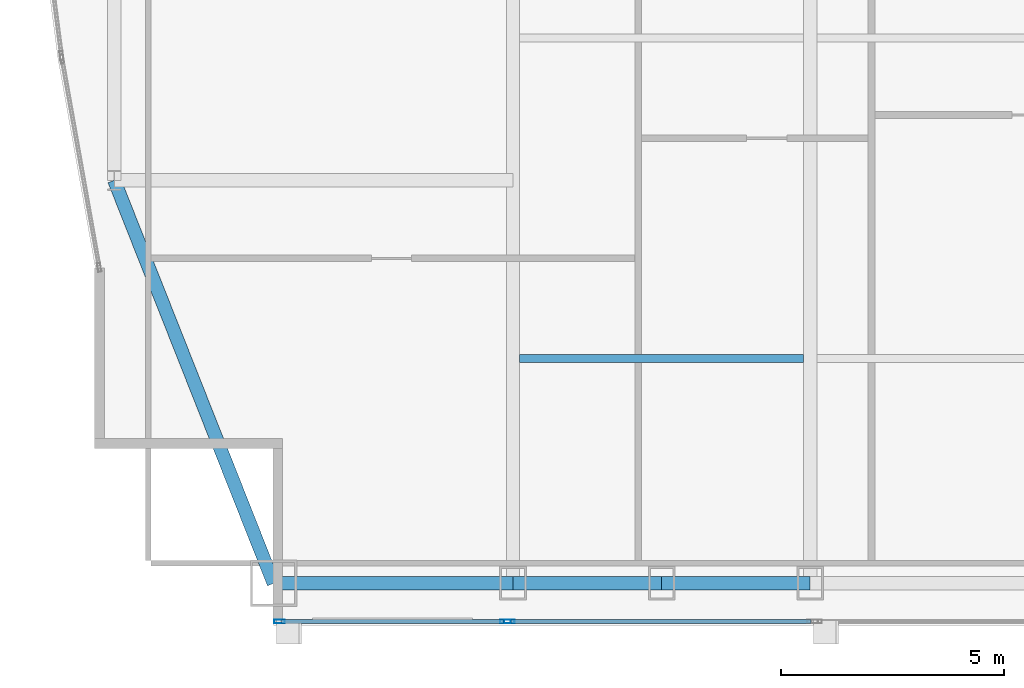
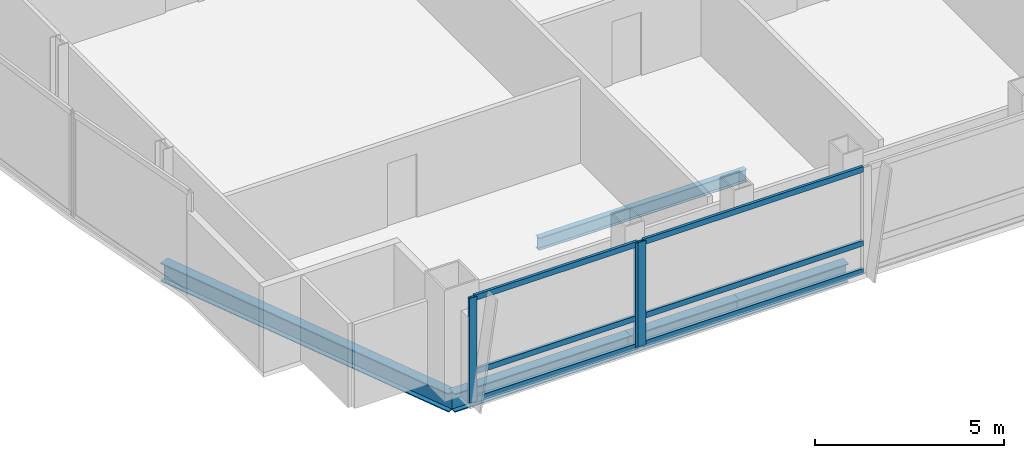
# One storey, part 5 of 30: 9 members, 5 beams, 2 elements without a shape of their own.
"""IFC4 building model written with IfcOpenShell, lengths in metres."""

from ifc_helpers import new_model, si_unit, direction, frame, origin, origin_2d, place, context, subcontext, project, spatial, hollow_rectangle, i_section, extrude, material, material_profile, profile_set, type_object, element, aggregate, save


model = new_model("IFC4")

# Units and contexts
model_context = context("Model", 3, precision=1e-05, world=origin(), true_north=direction((0.0, 1.0)))
body_context = subcontext(model_context, "Body", "Model", "MODEL_VIEW")
ifc_project = project(units=[si_unit("LENGTHUNIT", "METRE"), si_unit("AREAUNIT", "SQUARE_METRE"), si_unit("VOLUMEUNIT", "CUBIC_METRE"), si_unit("PLANEANGLEUNIT", "RADIAN"), si_unit("MASSUNIT", "GRAM", prefix="KILO")], contexts=[model_context])

# Site, building, storey
site_placement = place(None, origin())
site = spatial("IfcSite", under=ifc_project, at=site_placement, CompositionType="ELEMENT")
building_placement = place(site_placement, origin())
building = spatial("IfcBuilding", under=site, at=building_placement, Name="Khoronbel Lancet Exchange", CompositionType="ELEMENT")
storey_placement = place(building_placement, frame((0.0, 0.0, 253.39990234375)))
storey = spatial("IfcBuildingStorey", under=building, at=storey_placement, Name="L65", CompositionType="ELEMENT", Elevation=253.39990234375)

# Beams
ifc_material_1 = material(Name="Steel S355", Category="steel")
ifc_material_profile_1 = material_profile(ifc_material_1, i_section(OverallWidth=0.179931640625, OverallDepth=0.39990234375, WebThickness=0.008544921875, FlangeThickness=0.013427734375, at=origin_2d()), Name="IPE 400")
ifc_profile_set_1 = profile_set([ifc_material_profile_1], Name="Steel S355")
beam_type_1 = type_object("IfcBeamType", Name="BM-BJ5", PredefinedType="JOIST", material=ifc_profile_set_1)
beam_1_placement = place(storey_placement, frame((18.375, 15.199951171875, -0.35986328125), z_axis=(1.0, 0.0, 0.0), x_axis=(0.0, 1.0, 0.0)))
element("IfcBeam", 1, at=beam_1_placement, inside=storey, type_object=beam_type_1, Name="Level L65 secondary composite joist J01", PredefinedType="JOIST", context=body_context, shape_type="SweptSolid", body=[
    extrude(i_section(OverallWidth=0.179931640625, OverallDepth=0.39990234375, WebThickness=0.008544921875, FlangeThickness=0.013427734375, at=origin_2d()), origin(), (0.0, 0.0, 1.0), 6.375),
])
ifc_material_profile_2 = material_profile(ifc_material_1, i_section(OverallWidth=0.300048828125, OverallDepth=0.60009765625, WebThickness=0.015380859375, FlangeThickness=0.030029296875, at=origin_2d()), Name="HEB 600")
ifc_profile_set_2 = profile_set([ifc_material_profile_2], Name="Steel S355")
beam_type_2 = type_object("IfcBeamType", Name="BM-BSP2", PredefinedType="SPANDREL", material=ifc_profile_set_2)
beam_2_placement = place(storey_placement, frame((12.85009765625, 10.14990234375, -0.4599609375), z_axis=(1.0, 0.0, 0.0), x_axis=(0.0, 1.0, 0.0)))
element("IfcBeam", 2, at=beam_2_placement, inside=storey, type_object=beam_type_2, Name="Level L65 perimeter spandrel beam SP01", PredefinedType="SPANDREL", context=body_context, shape_type="SweptSolid", body=[
    extrude(i_section(OverallWidth=0.300048828125, OverallDepth=0.60009765625, WebThickness=0.015380859375, FlangeThickness=0.030029296875, at=origin_2d()), origin(), (0.0, 0.0, 1.0), 5.375),
])
for number, where, z_axis, x_axis, name in (
    (3, (18.22509765625, 10.14990234375, -0.4599609375), (1.0, 0.0, 0.0), (0.0, 1.0, 0.0), "Level L65 perimeter spandrel beam SP02"),
    (4, (21.5625, 10.14990234375, -0.4599609375), (1.0, 0.0, 0.0), (0.0, 1.0, 0.0), "Level L65 perimeter spandrel beam SP03"),
):
    element("IfcBeam", number, at=place(storey_placement, frame(where, z_axis=z_axis, x_axis=x_axis)), inside=storey, type_object=beam_type_2, Name=name, PredefinedType="SPANDREL", context=body_context, shape_type="SweptSolid", body=[
        extrude(i_section(OverallWidth=0.300048828125, OverallDepth=0.60009765625, WebThickness=0.015380859375, FlangeThickness=0.030029296875, at=origin_2d()), origin(), (0.0, 0.0, 1.0), 3.33740234375),
    ])
beam_3_placement = place(storey_placement, frame((9.27001953125, 19.199951171875, -0.4599609375), z_axis=(0.367850095026, -0.92988510451, 0.0), x_axis=(0.92988510451, 0.367850095026, 0.0)))
element("IfcBeam", 5, at=beam_3_placement, inside=storey, type_object=beam_type_2, Name="Level L65 perimeter spandrel beam SP21", PredefinedType="SPANDREL", context=body_context, shape_type="SweptSolid", body=[
    extrude(i_section(OverallWidth=0.300048828125, OverallDepth=0.60009765625, WebThickness=0.015380859375, FlangeThickness=0.030029296875, at=origin_2d()), origin(), (0.0, 0.0, 1.0), 9.732421875),
])

# Curtain wall, members
ifc_material_2 = material(Name="Low-E Solar Control Insulating Glass", Category="glass")
curtain_wall_type = type_object("IfcCurtainWallType", Name="CW-3", PredefinedType="NOTDEFINED", material=ifc_material_2)
curtain_wall_1_placement = place(storey_placement, origin())
curtain_wall_1 = element("IfcCurtainWall", 6, at=curtain_wall_1_placement, inside=storey, type_object=curtain_wall_type, Name="Unitised curtain wall CW-L65-SWV", PredefinedType="NOTDEFINED")
ifc_material_3 = material(Name="Bronze-Anodised Aluminium 6063-T6", Category="aluminium")
ifc_material_profile_3 = material_profile(ifc_material_3, hollow_rectangle(XDim=0.0849609375, YDim=0.239990234375, WallThickness=0.006103515625, at=origin_2d()), Name="ALU MULLION 85x240")
ifc_profile_set_3 = profile_set([ifc_material_profile_3], Name="Bronze-Anodised Aluminium 6063-T6")
member_type_1 = type_object("IfcMemberType", Name="MEM-CWM1", PredefinedType="MULLION", material=ifc_profile_set_3)
member_1_placement = place(storey_placement, frame((12.982421875, 9.2900390625, 0.0), z_axis=(0.0, 0.0, 1.0), x_axis=(0.0, 1.0, 0.0)))
member_1 = element("IfcMember", 7, at=member_1_placement, type_object=member_type_1, Name="CW3 mullion 1", PredefinedType="MULLION", context=body_context, shape_type="SweptSolid", body=[
    extrude(hollow_rectangle(XDim=0.0849609375, YDim=0.239990234375, WallThickness=0.006103515625, at=origin_2d()), origin(), (0.0, 0.0, 1.0), 3.380126953125),
])
member_2_placement = place(storey_placement, frame((18.0576171875, 9.2900390625, 0.0), z_axis=(0.0, 0.0, 1.0), x_axis=(0.0, 1.0, 0.0)))
member_2 = element("IfcMember", 8, at=member_2_placement, type_object=member_type_1, Name="CW3 mullion 2", PredefinedType="MULLION", context=body_context, shape_type="SweptSolid", body=[
    extrude(hollow_rectangle(XDim=0.0849609375, YDim=0.239990234375, WallThickness=0.006103515625, at=origin_2d()), origin(), (0.0, 0.0, 1.0), 3.380126953125),
])

# Curtain wall, member
curtain_wall_2_placement = place(storey_placement, origin())
curtain_wall_2 = element("IfcCurtainWall", 9, at=curtain_wall_2_placement, inside=storey, type_object=curtain_wall_type, Name="Unitised curtain wall CW-L65-SWB", PredefinedType="NOTDEFINED")
member_3_placement = place(storey_placement, frame((18.142578125, 9.2900390625, 0.0), z_axis=(0.0, 0.0, 1.0), x_axis=(0.0, 1.0, 0.0)))
member_3 = element("IfcMember", 10, at=member_3_placement, type_object=member_type_1, Name="CW3 mullion 1", PredefinedType="MULLION", context=body_context, shape_type="SweptSolid", body=[
    extrude(hollow_rectangle(XDim=0.0849609375, YDim=0.239990234375, WallThickness=0.006103515625, at=origin_2d()), origin(), (0.0, 0.0, 1.0), 3.380126953125),
])

# Member
ifc_material_profile_4 = material_profile(ifc_material_3, hollow_rectangle(XDim=0.0849609375, YDim=0.179931640625, WallThickness=0.0048828125, at=origin_2d()), Name="ALU TRANSOM 85x180")
ifc_profile_set_4 = profile_set([ifc_material_profile_4], Name="Bronze-Anodised Aluminium 6063-T6")
member_type_2 = type_object("IfcMemberType", Name="MEM-CWT1", PredefinedType="USERDEFINED", material=ifc_profile_set_4)
member_4_placement = place(storey_placement, frame((13.02490234375, 9.2900390625, 0.04248046875), z_axis=(1.0, 0.0, 0.0), x_axis=(0.0, 1.0, 0.0)))
member_4 = element("IfcMember", 11, at=member_4_placement, type_object=member_type_2, Name="CW3 transom 1.1", ObjectType="TRANSOM", PredefinedType="USERDEFINED", context=body_context, shape_type="SweptSolid", body=[
    extrude(hollow_rectangle(XDim=0.0849609375, YDim=0.179931640625, WallThickness=0.0048828125, at=origin_2d()), origin(), (0.0, 0.0, 1.0), 4.989990234375),
])

member_5_placement = place(storey_placement, frame((13.02490234375, 9.2900390625, 0.9501953125), z_axis=(1.0, 0.0, 0.0), x_axis=(0.0, 1.0, 0.0)))
member_5 = element("IfcMember", 12, at=member_5_placement, type_object=member_type_2, Name="CW3 transom 1.2", ObjectType="TRANSOM", PredefinedType="USERDEFINED", context=body_context, shape_type="SweptSolid", body=[
    extrude(hollow_rectangle(XDim=0.0849609375, YDim=0.179931640625, WallThickness=0.0048828125, at=origin_2d()), origin(), (0.0, 0.0, 1.0), 4.989990234375),
])

member_6_placement = place(storey_placement, frame((13.02490234375, 9.2900390625, 3.337646484375), z_axis=(1.0, 0.0, 0.0), x_axis=(0.0, 1.0, 0.0)))
member_6 = element("IfcMember", 13, at=member_6_placement, type_object=member_type_2, Name="CW3 transom 1.3", ObjectType="TRANSOM", PredefinedType="USERDEFINED", context=body_context, shape_type="SweptSolid", body=[
    extrude(hollow_rectangle(XDim=0.0849609375, YDim=0.179931640625, WallThickness=0.0048828125, at=origin_2d()), origin(), (0.0, 0.0, 1.0), 4.989990234375),
])

aggregate(curtain_wall_1, [member_1, member_2, member_4, member_5, member_6])

member_7_placement = place(storey_placement, frame((18.18505859375, 9.2900390625, 0.04248046875), z_axis=(1.0, 0.0, 0.0), x_axis=(0.0, 1.0, 0.0)))
member_7 = element("IfcMember", 14, at=member_7_placement, type_object=member_type_2, Name="CW3 transom 1.1", ObjectType="TRANSOM", PredefinedType="USERDEFINED", context=body_context, shape_type="SweptSolid", body=[
    extrude(hollow_rectangle(XDim=0.0849609375, YDim=0.179931640625, WallThickness=0.0048828125, at=origin_2d()), origin(), (0.0, 0.0, 1.0), 6.72998046875),
])

member_8_placement = place(storey_placement, frame((18.18505859375, 9.2900390625, 0.9501953125), z_axis=(1.0, 0.0, 0.0), x_axis=(0.0, 1.0, 0.0)))
member_8 = element("IfcMember", 15, at=member_8_placement, type_object=member_type_2, Name="CW3 transom 1.2", ObjectType="TRANSOM", PredefinedType="USERDEFINED", context=body_context, shape_type="SweptSolid", body=[
    extrude(hollow_rectangle(XDim=0.0849609375, YDim=0.179931640625, WallThickness=0.0048828125, at=origin_2d()), origin(), (0.0, 0.0, 1.0), 6.72998046875),
])

member_9_placement = place(storey_placement, frame((18.18505859375, 9.2900390625, 3.337646484375), z_axis=(1.0, 0.0, 0.0), x_axis=(0.0, 1.0, 0.0)))
member_9 = element("IfcMember", 16, at=member_9_placement, type_object=member_type_2, Name="CW3 transom 1.3", ObjectType="TRANSOM", PredefinedType="USERDEFINED", context=body_context, shape_type="SweptSolid", body=[
    extrude(hollow_rectangle(XDim=0.0849609375, YDim=0.179931640625, WallThickness=0.0048828125, at=origin_2d()), origin(), (0.0, 0.0, 1.0), 6.72998046875),
])

aggregate(curtain_wall_2, [member_3, member_7, member_8, member_9])

save(model, "model.ifc")
